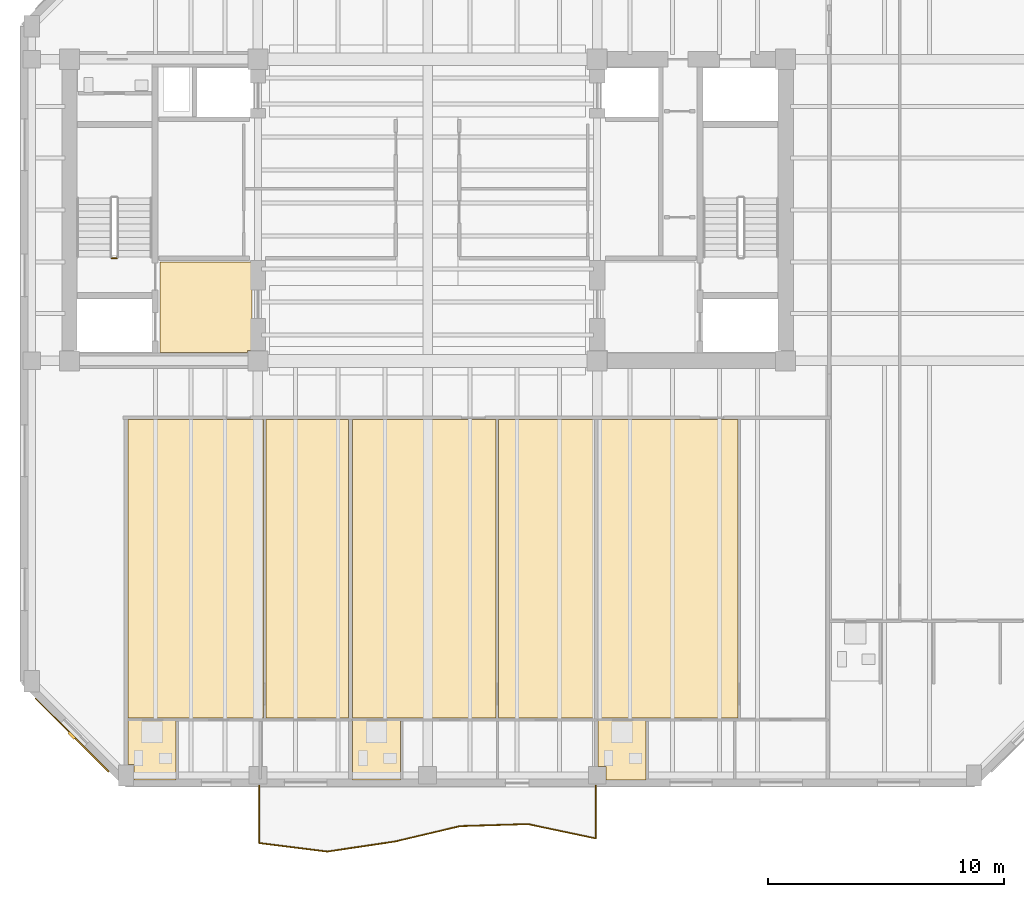
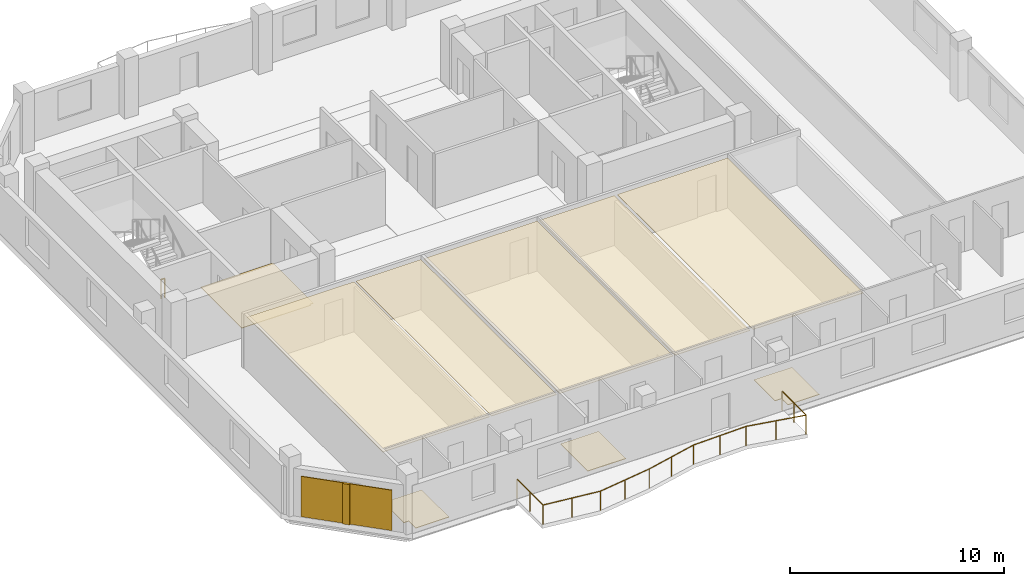
# One storey, part 7 of 10: 10 coverings, 2 railings, 1 shading device.
"""IFC4 building model written with IfcOpenShell, lengths in metres."""

from ifc_helpers import new_model, si_unit, direction, frame, origin, origin_2d, place, context, subcontext, project, spatial, polyline, rectangle, circle, outline, extrude, material, layer, layer_set, type_object, element, save


model = new_model("IFC4")

# Units and contexts
model_context = context("Model", 3, precision=1e-05, world=origin(), true_north=direction((0.0, 1.0)))
body_context = subcontext(model_context, "Body", "Model", "MODEL_VIEW")
ifc_project = project(units=[si_unit("LENGTHUNIT", "METRE"), si_unit("AREAUNIT", "SQUARE_METRE"), si_unit("VOLUMEUNIT", "CUBIC_METRE"), si_unit("PLANEANGLEUNIT", "RADIAN"), si_unit("MASSUNIT", "GRAM", prefix="KILO")], contexts=[model_context])

# Site, building, storey
site_placement = place(None, origin())
site = spatial("IfcSite", under=ifc_project, at=site_placement, CompositionType="ELEMENT")
building_placement = place(site_placement, origin())
building = spatial("IfcBuilding", under=site, at=building_placement, Name="Kranthara Brick Stack", CompositionType="ELEMENT")
storey_placement = place(building_placement, frame((0.0, 0.0, 234.699951171875)))
storey = spatial("IfcBuildingStorey", under=building, at=storey_placement, Name="L61", CompositionType="ELEMENT", Elevation=234.699951171875)

# Coverings
ifc_material_1 = material(Name="Perforated mineral-fibre acoustic ceiling tile", Category="other")
ifc_layer_1 = layer(ifc_material_1, 0.02490234375)
ifc_layer_set_1 = layer_set([ifc_layer_1], Name="Perforated mineral-fibre acoustic ceiling tile")
covering_type_1 = type_object("IfcCoveringType", Name="COV-CEIL-ACOUSTIC", PredefinedType="CEILING", material=ifc_layer_set_1)
covering_1_placement = place(storey_placement, frame((0.0, 0.0, 2.830078125)))
element("IfcCovering", 1, at=covering_1_placement, inside=storey, type_object=covering_type_1, Name="L61 Unit L61A 1-Bed Apartment Living Dining Acoustic Ceiling", PredefinedType="CEILING", context=body_context, shape_type="SweptSolid", body=[
    extrude(outline(polyline([(21.0390625, 5.6298828125), (21.0390625, 18.300048828125), (15.280029296875, 18.300048828125), (15.280029296875, 5.6298828125), (21.0390625, 5.6298828125)])), origin(), (0.0, 0.0, 1.0), 0.02490234375),
])
covering_2_placement = place(storey_placement, frame((0.0, 0.0, 2.830078125)))
element("IfcCovering", 2, at=covering_2_placement, inside=storey, type_object=covering_type_1, Name="L61 Unit L61A Private Study Room Acoustic Ceiling", PredefinedType="CEILING", context=body_context, shape_type="SweptSolid", body=[
    extrude(outline(polyline([(24.64990234375, 5.6298828125), (24.64990234375, 18.300048828125), (21.138916015625, 18.300048828125), (21.138916015625, 5.6298828125), (24.64990234375, 5.6298828125)])), origin(), (0.0, 0.0, 1.0), 0.02490234375),
])
covering_3_placement = place(storey_placement, frame((0.0, 0.0, 2.830078125)))
element("IfcCovering", 3, at=covering_3_placement, inside=storey, type_object=covering_type_1, Name="L61 Unit L61B 1-Bed Apartment Living Dining Acoustic Ceiling", PredefinedType="CEILING", context=body_context, shape_type="SweptSolid", body=[
    extrude(outline(polyline([(30.916015625, 5.6298828125), (30.916015625, 18.300048828125), (24.81005859375, 18.300048828125), (24.81005859375, 5.6298828125), (30.916015625, 5.6298828125)])), origin(), (0.0, 0.0, 1.0), 0.02490234375),
])
covering_4_placement = place(storey_placement, frame((0.0, 0.0, 2.830078125)))
element("IfcCovering", 4, at=covering_4_placement, inside=storey, type_object=covering_type_1, Name="L61 Unit L61B Private Study Room Acoustic Ceiling", PredefinedType="CEILING", context=body_context, shape_type="SweptSolid", body=[
    extrude(outline(polyline([(35.072998046875, 5.6298828125), (35.072998046875, 18.300048828125), (31.01611328125, 18.300048828125), (31.01611328125, 5.6298828125), (35.072998046875, 5.6298828125)])), origin(), (0.0, 0.0, 1.0), 0.02490234375),
])
covering_5_placement = place(storey_placement, frame((0.0, 0.0, 2.830078125)))
element("IfcCovering", 5, at=covering_5_placement, inside=storey, type_object=covering_type_1, Name="L61 Unit L61C 1-Bed Apartment Living Dining Acoustic Ceiling", PredefinedType="CEILING", context=body_context, shape_type="SweptSolid", body=[
    extrude(outline(polyline([(41.177001953125, 5.6298828125), (41.177001953125, 18.300048828125), (35.23291015625, 18.300048828125), (35.23291015625, 5.6298828125), (41.177001953125, 5.6298828125)])), origin(), (0.0, 0.0, 1.0), 0.02490234375),
])
ifc_material_2 = material(Name="Warm buff kiln-fired brick slip rainscreen", Category="masonry")
ifc_layer_2 = layer(ifc_material_2, 0.044921875)
ifc_layer_set_2 = layer_set([ifc_layer_2], Name="Warm buff kiln-fired brick slip rainscreen")
covering_type_2 = type_object("IfcCoveringType", Name="COV-CLAD-BRICK", PredefinedType="CLADDING", material=ifc_layer_set_2)
covering_6_placement = place(storey_placement, frame((12.91259765625, 4.91259765625, 0.0498046875), z_axis=(0.0, 0.0, 1.0), x_axis=(-0.707106781187, 0.707106781187, 0.0)))
element("IfcCovering", 6, at=covering_6_placement, inside=storey, type_object=covering_type_2, Name="L61 Chamfer Brick Rainscreen Cladding SW", PredefinedType="CLADDING", context=body_context, shape_type="SweptSolid", body=[
    extrude(rectangle(XDim=4.39892578125, YDim=0.044921875, at=origin_2d()), origin(), (0.0, 0.0, 1.0), 2.300048828125),
])
ifc_material_3 = material(Name="Honed terrazzo and porcelain floor finish", Category="stone")
ifc_layer_3 = layer(ifc_material_3, 0.030029296875)
ifc_layer_set_3 = layer_set([ifc_layer_3], Name="Honed terrazzo and porcelain floor finish")
covering_type_3 = type_object("IfcCoveringType", Name="COV-FLOR-STONE", PredefinedType="FLOORING", material=ifc_layer_set_3)
covering_7_placement = place(storey_placement, origin())
element("IfcCovering", 7, at=covering_7_placement, inside=storey, type_object=covering_type_3, Name="L61 Lift Lobby Stone Flooring", PredefinedType="FLOORING", context=body_context, shape_type="SweptSolid", body=[
    extrude(outline(polyline([(16.64990234375, 21.14990234375), (16.64990234375, 25.0), (20.550048828125, 25.0), (20.550048828125, 21.235107421875), (20.364990234375, 21.235107421875), (20.364990234375, 21.14990234375), (16.64990234375, 21.14990234375)])), origin(), (0.0, 0.0, 1.0), 0.030029296875),
])
covering_8_placement = place(storey_placement, origin())
element("IfcCovering", 8, at=covering_8_placement, inside=storey, type_object=covering_type_3, Name="L61 Wet Room Porcelain Flooring", PredefinedType="FLOORING", context=body_context, shape_type="SweptSolid", body=[
    extrude(outline(polyline([(15.280029296875, 5.550048828125), (17.330078125, 5.550048828125), (17.330078125, 3.0), (15.534912109375, 3.0), (15.534912109375, 3.659912109375), (15.280029296875, 3.659912109375), (15.280029296875, 5.550048828125)])), origin(), (0.0, 0.0, 1.0), 0.030029296875),
])
covering_9_placement = place(storey_placement, origin())
element("IfcCovering", 9, at=covering_9_placement, inside=storey, type_object=covering_type_3, Name="L61 Wet Room Porcelain Flooring", PredefinedType="FLOORING", context=body_context, shape_type="SweptSolid", body=[
    extrude(outline(polyline([(26.860107421875, 3.0), (26.860107421875, 5.550048828125), (24.81005859375, 5.550048828125), (24.81005859375, 3.0), (26.860107421875, 3.0)])), origin(), (0.0, 0.0, 1.0), 0.030029296875),
])
covering_10_placement = place(storey_placement, origin())
element("IfcCovering", 10, at=covering_10_placement, inside=storey, type_object=covering_type_3, Name="L61 Wet Room Porcelain Flooring", PredefinedType="FLOORING", context=body_context, shape_type="SweptSolid", body=[
    extrude(outline(polyline([(35.23291015625, 5.550048828125), (37.282958984375, 5.550048828125), (37.282958984375, 3.0), (35.5849609375, 3.0), (35.5849609375, 3.5849609375), (35.23291015625, 3.5849609375), (35.23291015625, 5.550048828125)])), origin(), (0.0, 0.0, 1.0), 0.030029296875),
])

# Railings
ifc_material_4 = material(Name="Bronze anodised aluminium and laminated glass balustrade", Category="aluminium")
railing_type_1 = type_object("IfcRailingType", Name="RL-BALC-1120", PredefinedType="BALUSTRADE", material=ifc_material_4)
railing_1_placement = place(storey_placement, frame((35.139892578125, 2.760009765625, 0.0)))
element("IfcRailing", 11, at=railing_1_placement, inside=storey, type_object=railing_type_1, Name="L61 South Rippling Balcony Balustrade", PredefinedType="BALUSTRADE", context=body_context, shape_type="SweptSolid", body=[
    extrude(circle(Radius=0.02392578125, at=origin_2d()), frame((0.0, 0.0, 1.09619140625), z_axis=(0.000109217998, -0.999999994036, 0.0), x_axis=(0.999999994036, 0.000109217998, 0.0)), (0.0, 0.0, 1.0), 2.2353515625),
    extrude(circle(Radius=0.02392578125, at=origin_2d()), frame((0.000244140625, -2.2353515625, 1.09619140625), z_axis=(-0.978475799524, 0.206361599493, 0.0), x_axis=(-0.206361599493, -0.978475799524, 0.0)), (0.0, 0.0, 1.0), 2.943603515625),
    extrude(circle(Radius=0.02392578125, at=origin_2d()), frame((-2.8798828125, -1.6279296875, 1.09619140625), z_axis=(-0.999552611586, -0.029909474603, 0.0), x_axis=(0.029909474603, -0.999552611586, 0.0)), (0.0, 0.0, 1.0), 2.88134765625),
    extrude(circle(Radius=0.02392578125, at=origin_2d()), frame((-5.760009765625, -1.714111328125, 1.09619140625), z_axis=(-0.973227594909, -0.229843530489, 0.0), x_axis=(0.229843530489, -0.973227594909, 0.0)), (0.0, 0.0, 1.0), 2.842529296875),
    extrude(circle(Radius=0.02392578125, at=origin_2d()), frame((-8.5263671875, -2.367431640625, 1.09619140625), z_axis=(-0.989165551889, -0.146804328808, 0.0), x_axis=(0.146804328808, -0.989165551889, 0.0)), (0.0, 0.0, 1.0), 2.906982421875),
    extrude(circle(Radius=0.02392578125, at=origin_2d()), frame((-11.40185546875, -2.794189453125, 1.09619140625), z_axis=(-0.992213005282, 0.124552607957, 0.0), x_axis=(-0.124552607957, -0.992213005282, 0.0)), (0.0, 0.0, 1.0), 2.901123046875),
    extrude(circle(Radius=0.02392578125, at=origin_2d()), frame((-14.2802734375, -2.432861328125, 1.09619140625), z_axis=(0.000200702455, 0.999999979859, 0.0), x_axis=(-0.999999979859, 0.000200702455, 0.0)), (0.0, 0.0, 1.0), 2.432861328125),
    extrude(circle(Radius=0.02099609375, at=origin_2d()), origin(), (0.0, 0.0, 1.0), 1.072021484375),
    extrude(circle(Radius=0.02099609375, at=origin_2d()), frame((0.0, -1.11767578125, 0.0)), (0.0, 0.0, 1.0), 1.072021484375),
    extrude(circle(Radius=0.02099609375, at=origin_2d()), frame((0.000244140625, -2.2353515625, 0.0)), (0.0, 0.0, 1.0), 1.072021484375),
    extrude(circle(Radius=0.02099609375, at=origin_2d()), frame((-1.43994140625, -1.931640625, 0.0)), (0.0, 0.0, 1.0), 1.072021484375),
    extrude(circle(Radius=0.02099609375, at=origin_2d()), frame((-2.8798828125, -1.6279296875, 0.0)), (0.0, 0.0, 1.0), 1.072021484375),
    extrude(circle(Radius=0.02099609375, at=origin_2d()), frame((-4.31982421875, -1.6708984375, 0.0)), (0.0, 0.0, 1.0), 1.072021484375),
    extrude(circle(Radius=0.02099609375, at=origin_2d()), frame((-5.760009765625, -1.714111328125, 0.0)), (0.0, 0.0, 1.0), 1.072021484375),
    extrude(circle(Radius=0.02099609375, at=origin_2d()), frame((-7.14306640625, -2.040771484375, 0.0)), (0.0, 0.0, 1.0), 1.072021484375),
    extrude(circle(Radius=0.02099609375, at=origin_2d()), frame((-8.5263671875, -2.367431640625, 0.0)), (0.0, 0.0, 1.0), 1.072021484375),
    extrude(circle(Radius=0.02099609375, at=origin_2d()), frame((-9.964111328125, -2.580810546875, 0.0)), (0.0, 0.0, 1.0), 1.072021484375),
    extrude(circle(Radius=0.02099609375, at=origin_2d()), frame((-11.40185546875, -2.794189453125, 0.0)), (0.0, 0.0, 1.0), 1.072021484375),
    extrude(circle(Radius=0.02099609375, at=origin_2d()), frame((-12.841064453125, -2.613525390625, 0.0)), (0.0, 0.0, 1.0), 1.072021484375),
    extrude(circle(Radius=0.02099609375, at=origin_2d()), frame((-14.2802734375, -2.432861328125, 0.0)), (0.0, 0.0, 1.0), 1.072021484375),
    extrude(circle(Radius=0.02099609375, at=origin_2d()), frame((-14.280029296875, -1.21630859375, 0.0)), (0.0, 0.0, 1.0), 1.072021484375),
    extrude(circle(Radius=0.02099609375, at=origin_2d()), frame((-14.27978515625, 0.0, 0.0)), (0.0, 0.0, 1.0), 1.072021484375),
])
ifc_material_5 = material(Name="Painted galvanized steel stair guardrail", Category="steel")
railing_type_2 = type_object("IfcRailingType", Name="RL-STAIR-GUARD-1100", PredefinedType="GUARDRAIL", material=ifc_material_5)
railing_2_placement = place(storey_placement, frame((14.800048828125, 25.14990234375, 0.0)))
element("IfcRailing", 12, at=railing_2_placement, inside=storey, type_object=railing_type_2, Name="L61 ST01 stair guard 4", PredefinedType="GUARDRAIL", context=body_context, shape_type="SweptSolid", body=[
    extrude(circle(Radius=0.02392578125, at=origin_2d()), frame((0.0, 0.0, 1.076171875), z_axis=(-1.0, 0.0, 0.0), x_axis=(0.0, -1.0, 0.0)), (0.0, 0.0, 1.0), 0.199951171875),
    extrude(circle(Radius=0.02099609375, at=origin_2d()), origin(), (0.0, 0.0, 1.0), 1.052001953125),
    extrude(circle(Radius=0.02099609375, at=origin_2d()), frame((-0.199951171875, 0.0, 0.0)), (0.0, 0.0, 1.0), 1.052001953125),
])

# Shading device
ifc_material_6 = material(Name="Kiln-fired terracotta aerodynamic wind fin", Category="masonry")
shading_device_type = type_object("IfcShadingDeviceType", Name="SHD-BAFFLE-CORNER", PredefinedType="SHUTTER", material=ifc_material_6)
shading_device_placement = place(storey_placement, frame((12.8916015625, 4.8916015625, 0.0498046875), z_axis=(0.0, 0.0, 1.0), x_axis=(-0.707106781187, 0.707106781187, 0.0)))
element("IfcShadingDevice", 13, at=shading_device_placement, inside=storey, type_object=shading_device_type, Name="L61 Chamfer Wind-Baffle Fin SW", PredefinedType="SHUTTER", context=body_context, shape_type="SweptSolid", body=[
    extrude(rectangle(XDim=0.35009765625, YDim=0.1201171875, at=origin_2d()), origin(), (0.0, 0.0, 1.0), 2.300048828125),
])

save(model, "model.ifc")
